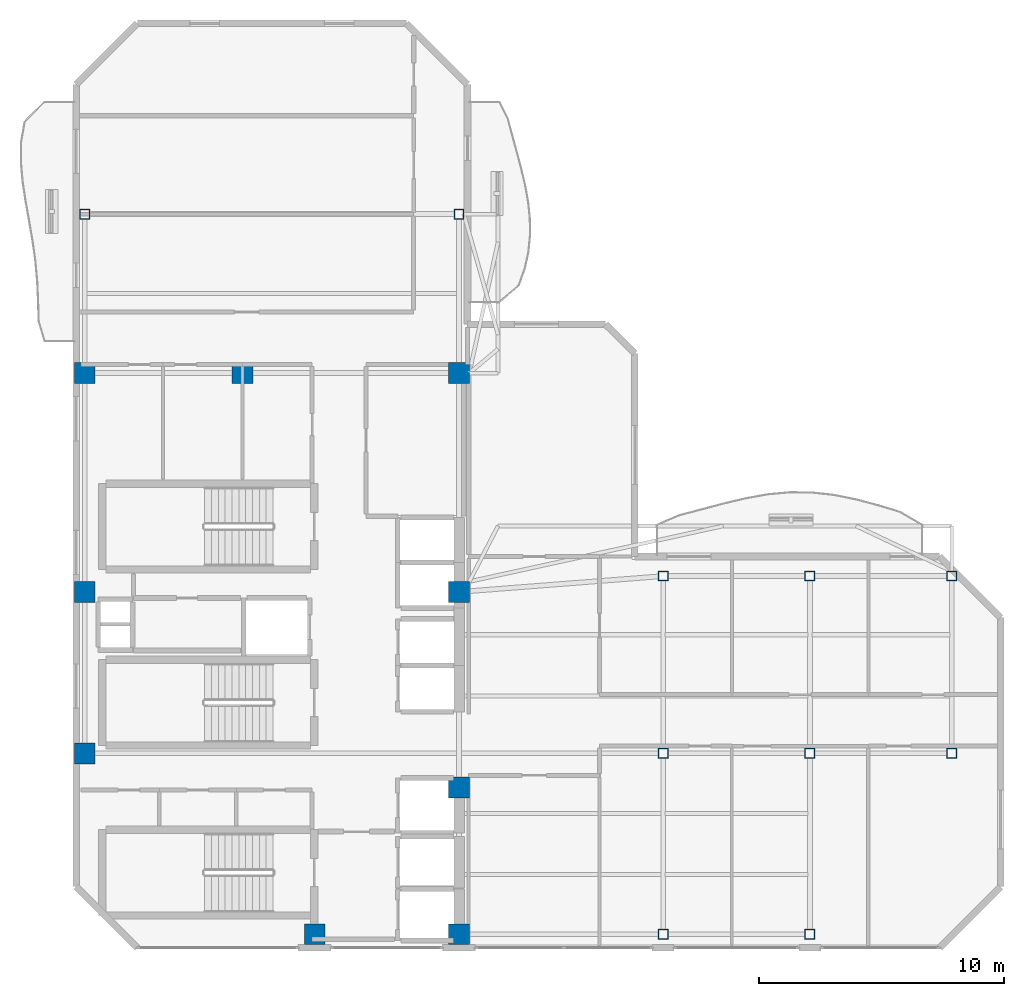
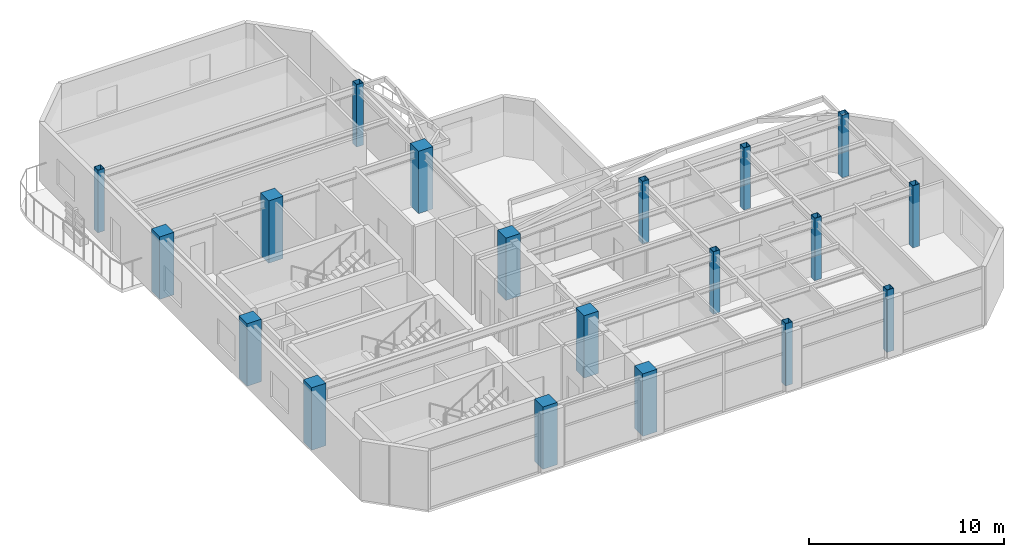
# One storey, part 1 of 14: 19 columns.
"""IFC4 building model written with IfcOpenShell, lengths in metres."""

from ifc_helpers import new_model, si_unit, direction, frame, origin, origin_2d, place, context, subcontext, project, spatial, rectangle, hollow_rectangle, extrude, material, material_profile, profile_set, type_object, element, save


model = new_model("IFC4")

# Units and contexts
model_context = context("Model", 3, precision=1e-05, world=origin(), true_north=direction((0.0, 1.0)))
body_context = subcontext(model_context, "Body", "Model", "MODEL_VIEW")
ifc_project = project(units=[si_unit("LENGTHUNIT", "METRE"), si_unit("AREAUNIT", "SQUARE_METRE"), si_unit("VOLUMEUNIT", "CUBIC_METRE"), si_unit("PLANEANGLEUNIT", "RADIAN"), si_unit("MASSUNIT", "GRAM", prefix="KILO")], contexts=[model_context])

# Site, building, storey
site_placement = place(None, origin())
site = spatial("IfcSite", under=ifc_project, at=site_placement, CompositionType="ELEMENT")
building_placement = place(site_placement, origin())
building = spatial("IfcBuilding", under=site, at=building_placement, Name="Mawjaban Terraces University", CompositionType="ELEMENT")
storey_placement = place(building_placement, frame((0.0, 0.0, 256.0)))
storey = spatial("IfcBuildingStorey", under=building, at=storey_placement, Name="L62", CompositionType="ELEMENT", Elevation=256.0)

# Columns
ifc_material_1 = material(Name="Concrete C50/60", Category="concrete")
ifc_material_profile_1 = material_profile(ifc_material_1, rectangle(XDim=0.85009765625, YDim=0.85009765625, at=origin_2d()), Name="RC850X850")
ifc_profile_set_1 = profile_set([ifc_material_profile_1], Name="Concrete C50/60")
column_type_1 = type_object("IfcColumnType", Name="Col_RC850X850", PredefinedType="COLUMN", material=ifc_profile_set_1)
for number, where, z_axis, x_axis, name in (
    (1, (31.75, 0.550048828125, 0.0), (0.0, 0.0, 1.0), (1.0, 0.0, 0.0), "L62 Column CC2"),
    (2, (37.64990234375, 0.550048828125, 0.0), (0.0, 0.0, 1.0), (1.0, 0.0, 0.0), "L62 Column CC3"),
    (3, (22.35009765625, 7.949951171875, 0.0), (0.0, 0.0, 1.0), (1.0, 0.0, 0.0), "L62 Column CC4"),
    (4, (37.64990234375, 6.550048828125, 0.0), (0.0, 0.0, 1.0), (1.0, 0.0, 0.0), "L62 Column CC5"),
    (5, (22.35009765625, 14.550048828125, 0.0), (0.0, 0.0, 1.0), (1.0, 0.0, 0.0), "L62 Column CC6"),
    (6, (37.64990234375, 14.550048828125, 0.0), (0.0, 0.0, 1.0), (1.0, 0.0, 0.0), "L62 Column CC7"),
    (7, (22.35009765625, 23.5, 0.0), (0.0, 0.0, 1.0), (1.0, 0.0, 0.0), "L62 Column CC8"),
    (8, (28.800048828125, 23.5, 0.0), (0.0, 0.0, 1.0), (1.0, 0.0, 0.0), "L62 Column CC9"),
    (9, (37.64990234375, 23.5, 0.0), (0.0, 0.0, 1.0), (1.0, 0.0, 0.0), "L62 Column CC10"),
):
    element("IfcColumn", number, at=place(storey_placement, frame(where, z_axis=z_axis, x_axis=x_axis)), inside=storey, type_object=column_type_1, Name=name, PredefinedType="COLUMN", context=body_context, shape_type="SweptSolid", body=[
        extrude(rectangle(XDim=0.85009765625, YDim=0.85009765625, at=origin_2d()), origin(), (0.0, 0.0, 1.0), 3.89990234375),
    ])
ifc_material_2 = material(Name="Steel EN 10210-1 S355J2H", Category="steel")
ifc_material_profile_2 = material_profile(ifc_material_2, hollow_rectangle(XDim=0.39990234375, YDim=0.39990234375, WallThickness=0.02001953125, at=origin_2d()), Name="SHS400X400X20")
ifc_profile_set_2 = profile_set([ifc_material_profile_2], Name="Steel EN 10210-1 S355J2H")
column_type_2 = type_object("IfcColumnType", Name="Col_SHS400X400X20", PredefinedType="COLUMN", material=ifc_profile_set_2)
for number, where, z_axis, x_axis, name in (
    (10, (46.0, 0.550048828125, 0.0), (0.0, 0.0, 1.0), (1.0, 0.0, 0.0), "L62 Column TE-460-005"),
    (11, (46.0, 7.949951171875, 0.0), (0.0, 0.0, 1.0), (1.0, 0.0, 0.0), "L62 Column TE-460-080"),
    (12, (46.0, 15.199951171875, 0.0), (0.0, 0.0, 1.0), (1.0, 0.0, 0.0), "L62 Column TE-460-152"),
    (13, (52.0, 0.550048828125, 0.0), (0.0, 0.0, 1.0), (1.0, 0.0, 0.0), "L62 Column TE-520-005"),
    (14, (52.0, 7.949951171875, 0.0), (0.0, 0.0, 1.0), (1.0, 0.0, 0.0), "L62 Column TE-520-080"),
    (15, (52.0, 15.199951171875, 0.0), (0.0, 0.0, 1.0), (1.0, 0.0, 0.0), "L62 Column TE-520-152"),
    (16, (57.800048828125, 7.949951171875, 0.0), (0.0, 0.0, 1.0), (1.0, 0.0, 0.0), "L62 Column TE-578-080"),
    (17, (57.800048828125, 15.199951171875, 0.0), (0.0, 0.0, 1.0), (1.0, 0.0, 0.0), "L62 Column TE-578-152"),
    (18, (22.35009765625, 30.0, 0.0), (0.0, 0.0, 1.0), (1.0, 0.0, 0.0), "L62 Column TN-223-300"),
    (19, (37.64990234375, 30.0, 0.0), (0.0, 0.0, 1.0), (1.0, 0.0, 0.0), "L62 Column TN-376-300"),
):
    element("IfcColumn", number, at=place(storey_placement, frame(where, z_axis=z_axis, x_axis=x_axis)), inside=storey, type_object=column_type_2, Name=name, PredefinedType="COLUMN", context=body_context, shape_type="SweptSolid", body=[
        extrude(hollow_rectangle(XDim=0.39990234375, YDim=0.39990234375, WallThickness=0.02001953125, at=origin_2d()), origin(), (0.0, 0.0, 1.0), 3.89990234375),
    ])

save(model, "model.ifc")
